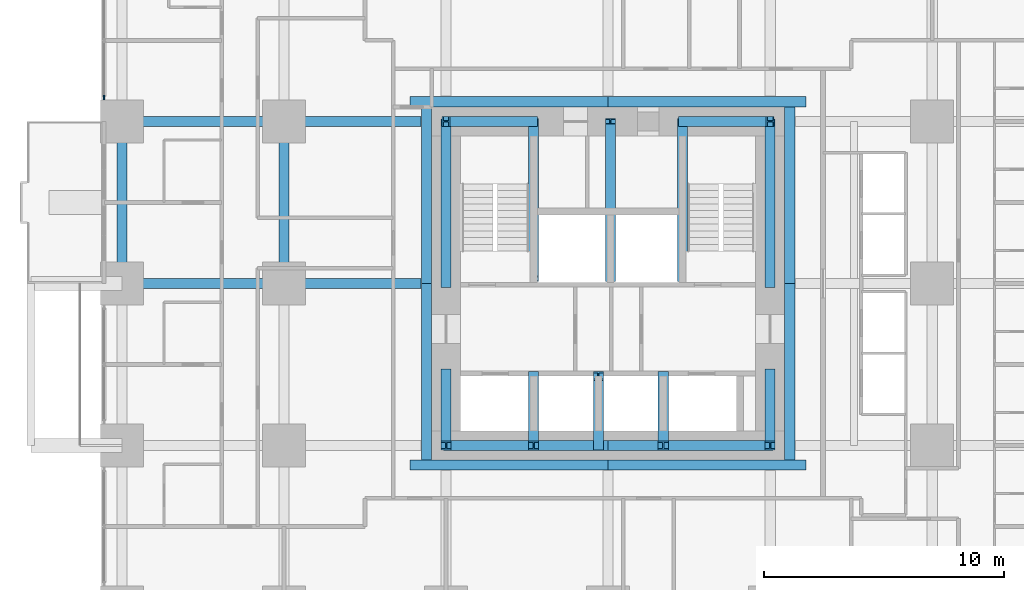
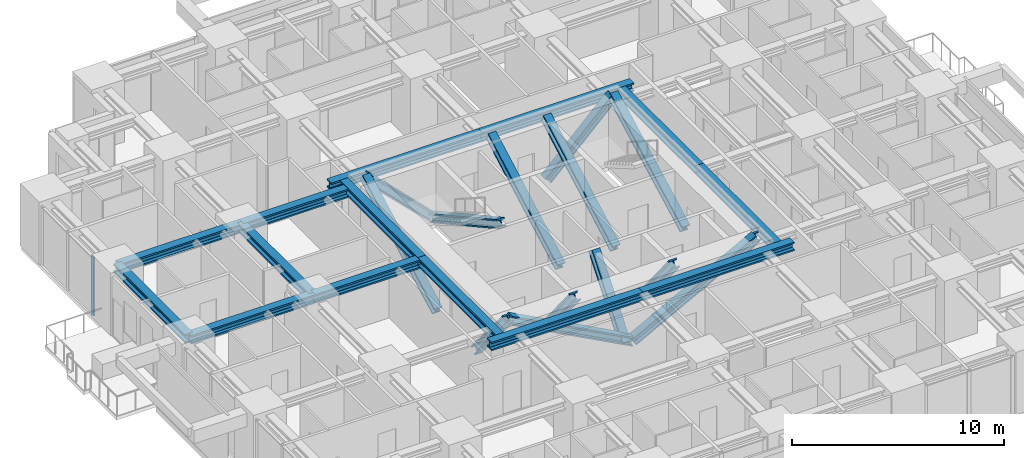
# One storey, part 3 of 14: 15 members, 14 beams, 1 element without a shape of its own.
"""IFC4 building model written with IfcOpenShell, lengths in metres."""

from ifc_helpers import new_model, si_unit, direction, frame, origin, origin_2d, place, context, subcontext, project, spatial, rectangle, i_section, extrude, material, material_profile, profile_set, type_object, element, aggregate, save


model = new_model("IFC4")

# Units and contexts
model_context = context("Model", 3, precision=1e-05, world=origin(), true_north=direction((0.0, 1.0)))
body_context = subcontext(model_context, "Body", "Model", "MODEL_VIEW")
ifc_project = project(units=[si_unit("LENGTHUNIT", "METRE"), si_unit("AREAUNIT", "SQUARE_METRE"), si_unit("VOLUMEUNIT", "CUBIC_METRE"), si_unit("PLANEANGLEUNIT", "RADIAN"), si_unit("MASSUNIT", "GRAM", prefix="KILO")], contexts=[model_context])

# Site, building, storey
site_placement = place(None, origin())
site = spatial("IfcSite", under=ifc_project, at=site_placement, CompositionType="ELEMENT")
building_placement = place(site_placement, origin())
building = spatial("IfcBuilding", under=site, at=building_placement, Name="Nyansa Garden Tower", CompositionType="ELEMENT")
storey_placement = place(building_placement, frame((0.0, 0.0, 50.39990234375)))
storey = spatial("IfcBuildingStorey", under=building, at=storey_placement, Name="L13", CompositionType="ELEMENT", Elevation=50.39990234375)

# Curtain wall, member
ifc_material_1 = material(Name="Black anodised aluminium, dark tinted double glazing", Category="aluminium")
curtain_wall_type = type_object("IfcCurtainWallType", Name="Inner skin curtain wall ISW-A", PredefinedType="USERDEFINED", material=ifc_material_1)
curtain_wall_placement = place(storey_placement, origin())
curtain_wall = element("IfcCurtainWall", 1, at=curtain_wall_placement, inside=storey, type_object=curtain_wall_type, Name="Inner skin curtain wall L13 W", ObjectType="UNITISED CURTAIN WALL", PredefinedType="USERDEFINED")
ifc_material_2 = material(Name="Black anodised aluminium", Category="aluminium")
ifc_material_profile_1 = material_profile(ifc_material_2, rectangle(XDim=0.06494140625, YDim=0.199951171875, at=origin_2d()), Name="Mullion 200x65")
ifc_profile_set_1 = profile_set([ifc_material_profile_1], Name="Black anodised aluminium")
member_type_1 = type_object("IfcMemberType", Name="Mullion ISW-A 200x65", PredefinedType="MULLION", material=ifc_profile_set_1)
member_1_placement = place(storey_placement, frame((-0.75, 28.0, 0.0), z_axis=(0.0, 0.0, 1.0), x_axis=(1.0, 0.0, 0.0)))
member_1 = element("IfcMember", 2, at=member_1_placement, type_object=member_type_1, Name="ISW-A mullion 3", PredefinedType="MULLION", context=body_context, shape_type="SweptSolid", body=[
    extrude(rectangle(XDim=0.06494140625, YDim=0.199951171875, at=origin_2d()), origin(), (0.0, 0.0, 1.0), 3.375),
])
aggregate(curtain_wall, [member_1])

# Members
ifc_material_3 = material(Name="Steel S355", Category="steel")
ifc_material_profile_2 = material_profile(ifc_material_3, i_section(OverallWidth=0.424072265625, OverallDepth=0.47412109375, WebThickness=0.047607421875, FlangeThickness=0.076904296875, FilletRadius=0.014892578125, at=origin_2d()), Name="HD 400x634")
ifc_profile_set_2 = profile_set([ifc_material_profile_2], Name="Steel S355")
member_type_2 = type_object("IfcMemberType", Name="Perimeter brace HD 400x634", PredefinedType="BRACE", material=ifc_profile_set_2)
for number, where, z_axis, x_axis, name in (
    (3, (20.25, 13.5, 0.0), (-0.882347640589, 0.0, 0.47059817376), (0.0, -1.0, 0.0), "Core brace CS1 L13"),
    (4, (20.25, 13.5, 0.0), (0.882347640589, 0.0, 0.47059817376), (0.0, 1.0, 0.0), "Core brace CS2 L13"),
):
    element("IfcMember", number, at=place(storey_placement, frame(where, z_axis=z_axis, x_axis=x_axis)), inside=storey, type_object=member_type_2, Name=name, PredefinedType="BRACE", context=body_context, shape_type="SweptSolid", body=[
        extrude(i_section(OverallWidth=0.424072265625, OverallDepth=0.47412109375, WebThickness=0.047607421875, FlangeThickness=0.076904296875, FilletRadius=0.014892578125, at=origin_2d()), origin(), (0.0, 0.0, 1.0), 7.650146484375),
    ])
for number, where, z_axis, x_axis, name in (
    (5, (17.14990234375, 27.0, 0.0), (-0.711947531702, 0.0, 0.702232662373), (0.0, -1.0, 0.0), "Core brace CN3 L13"),
    (6, (23.35009765625, 27.0, 0.0), (0.711947531702, 0.0, 0.702232662373), (0.0, 1.0, 0.0), "Core brace CN4 L13"),
):
    element("IfcMember", number, at=place(storey_placement, frame(where, z_axis=z_axis, x_axis=x_axis)), inside=storey, type_object=member_type_2, Name=name, PredefinedType="BRACE", context=body_context, shape_type="SweptSolid", body=[
        extrude(i_section(OverallWidth=0.424072265625, OverallDepth=0.47412109375, WebThickness=0.047607421875, FlangeThickness=0.076904296875, FilletRadius=0.014892578125, at=origin_2d()), origin(), (0.0, 0.0, 1.0), 5.126708984375),
    ])
member_2_placement = place(storey_placement, frame((13.5, 16.5, 0.0), z_axis=(0.0, -0.640174150918, 0.768229820104), x_axis=(1.0, 0.0, 0.0)))
element("IfcMember", 7, at=member_2_placement, inside=storey, type_object=member_type_2, Name="Core brace CW5 L13", PredefinedType="BRACE", context=body_context, shape_type="SweptSolid", body=[
    extrude(i_section(OverallWidth=0.424072265625, OverallDepth=0.47412109375, WebThickness=0.047607421875, FlangeThickness=0.076904296875, FilletRadius=0.014892578125, at=origin_2d()), origin(), (0.0, 0.0, 1.0), 4.686279296875),
])
member_3_placement = place(storey_placement, frame((13.5, 20.199951171875, 0.0), z_axis=(0.0, 0.883784057226, 0.467895009796), x_axis=(-1.0, 0.0, 0.0)))
element("IfcMember", 8, at=member_3_placement, inside=storey, type_object=member_type_2, Name="Core brace CW6 L13", PredefinedType="BRACE", context=body_context, shape_type="SweptSolid", body=[
    extrude(i_section(OverallWidth=0.424072265625, OverallDepth=0.47412109375, WebThickness=0.047607421875, FlangeThickness=0.076904296875, FilletRadius=0.014892578125, at=origin_2d()), origin(), (0.0, 0.0, 1.0), 7.6943359375),
])
member_4_placement = place(storey_placement, frame((27.0, 16.5, 0.0), z_axis=(0.0, -0.640174150918, 0.768229820104), x_axis=(1.0, 0.0, 0.0)))
element("IfcMember", 9, at=member_4_placement, inside=storey, type_object=member_type_2, Name="Core brace CE7 L13", PredefinedType="BRACE", context=body_context, shape_type="SweptSolid", body=[
    extrude(i_section(OverallWidth=0.424072265625, OverallDepth=0.47412109375, WebThickness=0.047607421875, FlangeThickness=0.076904296875, FilletRadius=0.014892578125, at=origin_2d()), origin(), (0.0, 0.0, 1.0), 4.686279296875),
])
member_5_placement = place(storey_placement, frame((27.0, 20.199951171875, 0.0), z_axis=(0.0, 0.883784057226, 0.467895009796), x_axis=(-1.0, 0.0, 0.0)))
element("IfcMember", 10, at=member_5_placement, inside=storey, type_object=member_type_2, Name="Core brace CE8 L13", PredefinedType="BRACE", context=body_context, shape_type="SweptSolid", body=[
    extrude(i_section(OverallWidth=0.424072265625, OverallDepth=0.47412109375, WebThickness=0.047607421875, FlangeThickness=0.076904296875, FilletRadius=0.014892578125, at=origin_2d()), origin(), (0.0, 0.0, 1.0), 7.6943359375),
])
for number, where, z_axis, x_axis, name in (
    (11, (17.14990234375, 27.0, 0.0), (0.0, -0.876353113771, 0.481669201822), (1.0, 0.0, 0.0), "Core brace CWS9 L13"),
    (12, (23.35009765625, 20.449951171875, 0.0), (0.0, 0.876353113771, 0.481669201822), (-1.0, 0.0, 0.0), "Core brace CES10 L13"),
):
    element("IfcMember", number, at=place(storey_placement, frame(where, z_axis=z_axis, x_axis=x_axis)), inside=storey, type_object=member_type_2, Name=name, PredefinedType="BRACE", context=body_context, shape_type="SweptSolid", body=[
        extrude(i_section(OverallWidth=0.424072265625, OverallDepth=0.47412109375, WebThickness=0.047607421875, FlangeThickness=0.076904296875, FilletRadius=0.014892578125, at=origin_2d()), origin(), (0.0, 0.0, 1.0), 7.47412109375),
    ])
for number, where, z_axis, x_axis, name in (
    (13, (17.14990234375, 16.39990234375, 0.0), (0.0, -0.627306405886, 0.778772542617), (1.0, 0.0, 0.0), "Core brace CSW11 L13"),
    (14, (19.85009765625, 13.5, 0.0), (0.0, 0.627306405886, 0.778772542617), (-1.0, 0.0, 0.0), "Core brace CSW12 L13"),
    (15, (22.550048828125, 16.39990234375, 0.0), (0.0, -0.627306405886, 0.778772542617), (1.0, 0.0, 0.0), "Core brace CSW13 L13"),
):
    element("IfcMember", number, at=place(storey_placement, frame(where, z_axis=z_axis, x_axis=x_axis)), inside=storey, type_object=member_type_2, Name=name, PredefinedType="BRACE", context=body_context, shape_type="SweptSolid", body=[
        extrude(i_section(OverallWidth=0.424072265625, OverallDepth=0.47412109375, WebThickness=0.047607421875, FlangeThickness=0.076904296875, FilletRadius=0.014892578125, at=origin_2d()), origin(), (0.0, 0.0, 1.0), 4.622802734375),
    ])
member_6_placement = place(storey_placement, frame((20.35009765625, 20.449951171875, 0.0), z_axis=(0.0, 0.876353113771, 0.481669201822), x_axis=(-1.0, 0.0, 0.0)))
element("IfcMember", 16, at=member_6_placement, inside=storey, type_object=member_type_2, Name="Core brace CNW14 L13", PredefinedType="BRACE", context=body_context, shape_type="SweptSolid", body=[
    extrude(i_section(OverallWidth=0.424072265625, OverallDepth=0.47412109375, WebThickness=0.047607421875, FlangeThickness=0.076904296875, FilletRadius=0.014892578125, at=origin_2d()), origin(), (0.0, 0.0, 1.0), 7.47412109375),
])

# Beams
ifc_material_4 = material(Name="Steel S355", Category="steel")
ifc_material_profile_3 = material_profile(ifc_material_4, i_section(OverallWidth=0.431884765625, OverallDepth=0.498046875, WebThickness=0.0556640625, FlangeThickness=0.0888671875, FilletRadius=0.014892578125, at=origin_2d()), Name="HD 400x744")
ifc_profile_set_3 = profile_set([ifc_material_profile_3], Name="Steel S355")
beam_type_1 = type_object("IfcBeamType", Name="Steel beam SBA1-744 HD 400x744", PredefinedType="BEAM", material=ifc_profile_set_3)
for number, where, z_axis, x_axis, name in (
    (17, (0.0, 20.25, 3.1259765625), (1.0, 0.0, 0.0), (0.0, 1.0, 0.0), "Steel beam 2/G-3/G L14"),
    (18, (0.0, 27.0, 3.1259765625), (1.0, 0.0, 0.0), (0.0, 1.0, 0.0), "Steel beam 2/H-3/H L14"),
    (19, (6.75, 20.25, 3.1259765625), (0.0, 1.0, 0.0), (-1.0, 0.0, 0.0), "Steel beam 3/G-3/H L14"),
):
    element("IfcBeam", number, at=place(storey_placement, frame(where, z_axis=z_axis, x_axis=x_axis)), inside=storey, type_object=beam_type_1, Name=name, PredefinedType="BEAM", context=body_context, shape_type="SweptSolid", body=[
        extrude(i_section(OverallWidth=0.431884765625, OverallDepth=0.498046875, WebThickness=0.0556640625, FlangeThickness=0.0888671875, FilletRadius=0.014892578125, at=origin_2d()), origin(), (0.0, 0.0, 1.0), 6.75),
    ])
for number, where, z_axis, x_axis, name in (
    (20, (6.75, 20.25, 3.1259765625), (1.0, 0.0, 0.0), (0.0, 1.0, 0.0), "Steel beam 3/G-12.450/G L14"),
    (21, (6.75, 27.0, 3.1259765625), (1.0, 0.0, 0.0), (0.0, 1.0, 0.0), "Steel beam 3/H-12.450/H L14"),
):
    element("IfcBeam", number, at=place(storey_placement, frame(where, z_axis=z_axis, x_axis=x_axis)), inside=storey, type_object=beam_type_1, Name=name, PredefinedType="BEAM", context=body_context, shape_type="SweptSolid", body=[
        extrude(i_section(OverallWidth=0.431884765625, OverallDepth=0.498046875, WebThickness=0.0556640625, FlangeThickness=0.0888671875, FilletRadius=0.014892578125, at=origin_2d()), origin(), (0.0, 0.0, 1.0), 5.699951171875),
    ])
ifc_material_5 = material(Name="Steel S355", Category="steel")
ifc_material_profile_4 = material_profile(ifc_material_5, i_section(OverallWidth=0.431884765625, OverallDepth=0.498046875, WebThickness=0.0556640625, FlangeThickness=0.0888671875, FilletRadius=0.014892578125, at=origin_2d()), Name="HD 400x744")
ifc_profile_set_4 = profile_set([ifc_material_profile_4], Name="Steel S355")
beam_type_2 = type_object("IfcBeamType", Name="Steel beam SEBA-744 HD 400x744", PredefinedType="BEAM", material=ifc_profile_set_4)
beam_placement = place(storey_placement, frame((0.0, 20.25, 3.1259765625), z_axis=(0.0, 1.0, 0.0), x_axis=(-1.0, 0.0, 0.0)))
element("IfcBeam", 22, at=beam_placement, inside=storey, type_object=beam_type_2, Name="Steel edge beam 2/G-2/H L14", PredefinedType="BEAM", context=body_context, shape_type="SweptSolid", body=[
    extrude(i_section(OverallWidth=0.431884765625, OverallDepth=0.498046875, WebThickness=0.0556640625, FlangeThickness=0.0888671875, FilletRadius=0.014892578125, at=origin_2d()), origin(), (0.0, 0.0, 1.0), 6.75),
])
ifc_material_6 = material(Name="Steel S355", Category="steel")
ifc_material_profile_5 = material_profile(ifc_material_6, i_section(OverallWidth=0.431884765625, OverallDepth=0.498046875, WebThickness=0.0556640625, FlangeThickness=0.0888671875, FilletRadius=0.014892578125, at=origin_2d()), Name="HD 400x744")
ifc_profile_set_5 = profile_set([ifc_material_profile_5], Name="Steel S355")
beam_type_3 = type_object("IfcBeamType", Name="Steel beam SLB1-744 HD 400x744", PredefinedType="BEAM", material=ifc_profile_set_5)
for number, where, z_axis, x_axis, name in (
    (23, (12.0, 12.68408203125, 3.1259765625), (1.0, 0.0, 0.0), (0.0, 1.0, 0.0), "Steel core ledger beam S.1 L14"),
    (24, (20.25, 12.68408203125, 3.1259765625), (1.0, 0.0, 0.0), (0.0, 1.0, 0.0), "Steel core ledger beam S.2 L14"),
):
    element("IfcBeam", number, at=place(storey_placement, frame(where, z_axis=z_axis, x_axis=x_axis)), inside=storey, type_object=beam_type_3, Name=name, PredefinedType="BEAM", context=body_context, shape_type="SweptSolid", body=[
        extrude(i_section(OverallWidth=0.431884765625, OverallDepth=0.498046875, WebThickness=0.0556640625, FlangeThickness=0.0888671875, FilletRadius=0.014892578125, at=origin_2d()), origin(), (0.0, 0.0, 1.0), 8.25),
    ])
for number, where, z_axis, x_axis, name in (
    (25, (27.81591796875, 12.89990234375, 3.1259765625), (0.0, 1.0, 0.0), (-1.0, 0.0, 0.0), "Steel core ledger beam E.1 L14"),
    (26, (27.81591796875, 20.25, 3.1259765625), (0.0, 1.0, 0.0), (-1.0, 0.0, 0.0), "Steel core ledger beam E.2 L14"),
):
    element("IfcBeam", number, at=place(storey_placement, frame(where, z_axis=z_axis, x_axis=x_axis)), inside=storey, type_object=beam_type_3, Name=name, PredefinedType="BEAM", context=body_context, shape_type="SweptSolid", body=[
        extrude(i_section(OverallWidth=0.431884765625, OverallDepth=0.498046875, WebThickness=0.0556640625, FlangeThickness=0.0888671875, FilletRadius=0.014892578125, at=origin_2d()), origin(), (0.0, 0.0, 1.0), 7.35009765625),
    ])
for number, where, z_axis, x_axis, name in (
    (27, (28.5, 27.81591796875, 3.1259765625), (-1.0, 0.0, 0.0), (0.0, -1.0, 0.0), "Steel core ledger beam N.1 L14"),
    (28, (20.25, 27.81591796875, 3.1259765625), (-1.0, 0.0, 0.0), (0.0, -1.0, 0.0), "Steel core ledger beam N.2 L14"),
):
    element("IfcBeam", number, at=place(storey_placement, frame(where, z_axis=z_axis, x_axis=x_axis)), inside=storey, type_object=beam_type_3, Name=name, PredefinedType="BEAM", context=body_context, shape_type="SweptSolid", body=[
        extrude(i_section(OverallWidth=0.431884765625, OverallDepth=0.498046875, WebThickness=0.0556640625, FlangeThickness=0.0888671875, FilletRadius=0.014892578125, at=origin_2d()), origin(), (0.0, 0.0, 1.0), 8.25),
    ])
for number, where, z_axis, x_axis, name in (
    (29, (12.68408203125, 27.60009765625, 3.1259765625), (0.0, -1.0, 0.0), (1.0, 0.0, 0.0), "Steel core ledger beam W.1 L14"),
    (30, (12.68408203125, 20.25, 3.1259765625), (0.0, -1.0, 0.0), (1.0, 0.0, 0.0), "Steel core ledger beam W.2 L14"),
):
    element("IfcBeam", number, at=place(storey_placement, frame(where, z_axis=z_axis, x_axis=x_axis)), inside=storey, type_object=beam_type_3, Name=name, PredefinedType="BEAM", context=body_context, shape_type="SweptSolid", body=[
        extrude(i_section(OverallWidth=0.431884765625, OverallDepth=0.498046875, WebThickness=0.0556640625, FlangeThickness=0.0888671875, FilletRadius=0.014892578125, at=origin_2d()), origin(), (0.0, 0.0, 1.0), 7.35009765625),
    ])

save(model, "model.ifc")
